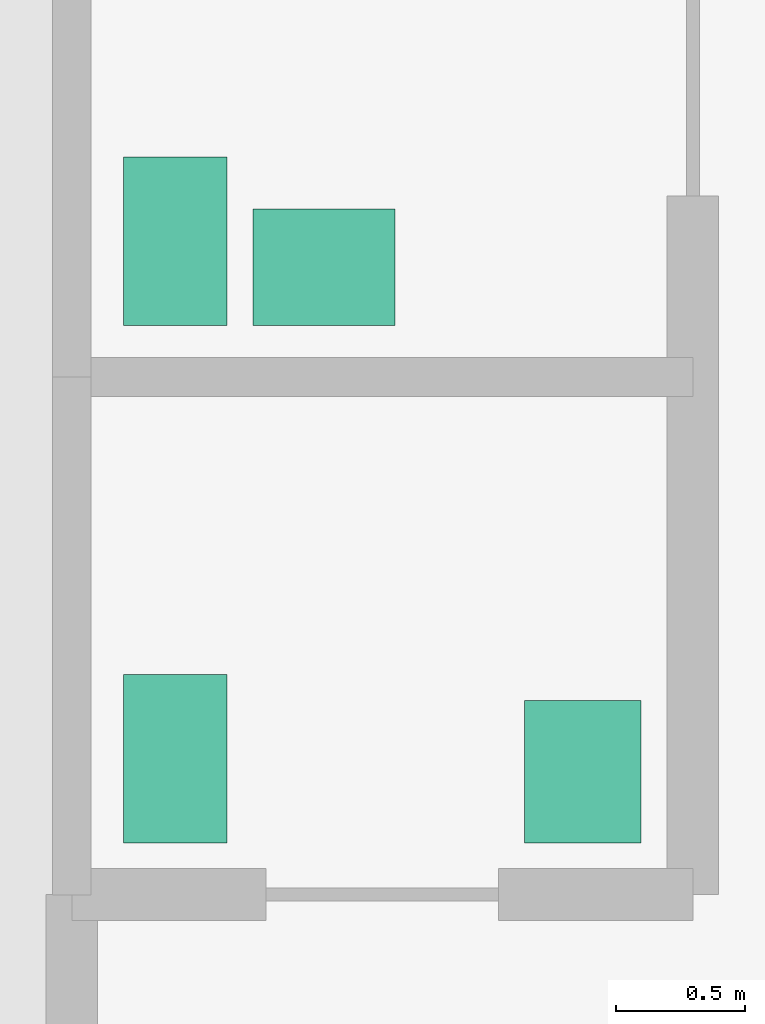
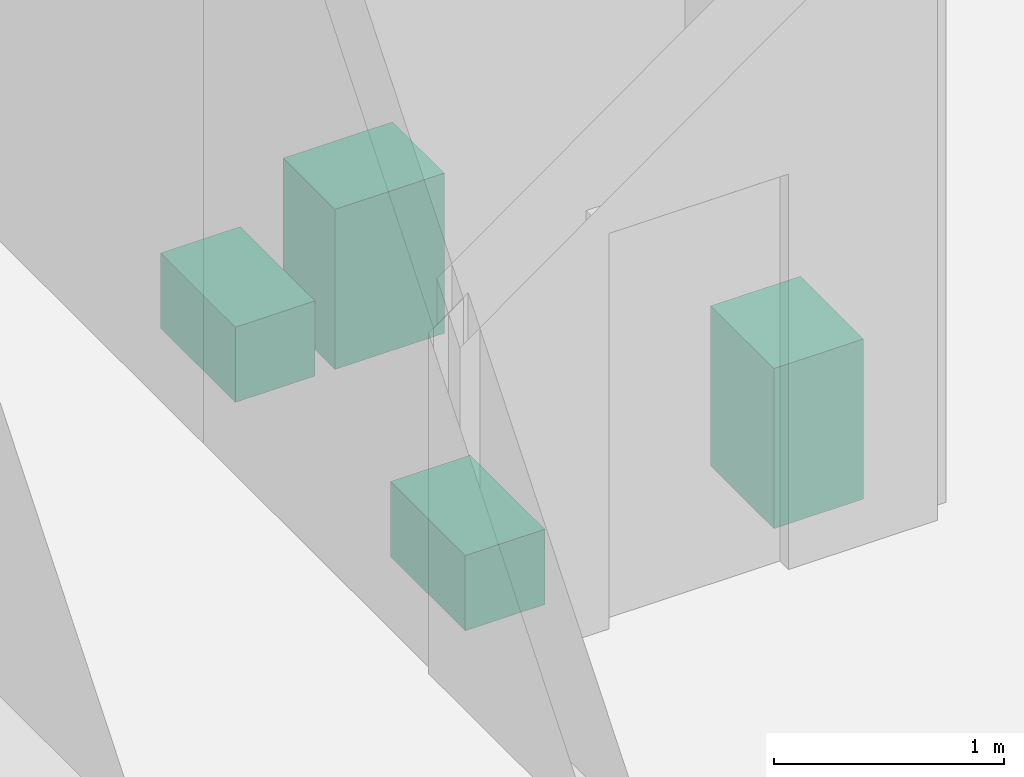
# One storey, part 8 of 8: 4 sanitary terminals.
"""IFC4 building model written with IfcOpenShell, lengths in metres."""

from ifc_helpers import new_model, si_unit, direction, frame, origin, origin_2d, place, context, subcontext, project, spatial, rectangle, extrude, material, type_object, element, save


model = new_model("IFC4")

# Units and contexts
model_context = context("Model", 3, precision=1e-05, world=origin(), true_north=direction((0.0, 1.0)))
body_context = subcontext(model_context, "Body", "Model", "MODEL_VIEW")
ifc_project = project(units=[si_unit("LENGTHUNIT", "METRE"), si_unit("AREAUNIT", "SQUARE_METRE"), si_unit("VOLUMEUNIT", "CUBIC_METRE"), si_unit("PLANEANGLEUNIT", "RADIAN"), si_unit("MASSUNIT", "GRAM", prefix="KILO")], contexts=[model_context])

# Site, building, storey
site_placement = place(None, origin())
site = spatial("IfcSite", under=ifc_project, at=site_placement, CompositionType="ELEMENT")
building_placement = place(site_placement, origin())
building = spatial("IfcBuilding", under=site, at=building_placement, Name="Mashrafa Tower", CompositionType="ELEMENT")
storey_placement = place(building_placement, frame((0.0, 0.0, 261.800048828125)))
storey = spatial("IfcBuildingStorey", under=building, at=storey_placement, Name="L63", CompositionType="ELEMENT", Elevation=261.800048828125)

# Sanitary terminals
ifc_material_1 = material(Name="Vitreous china")
sanitary_terminal_type_1 = type_object("IfcSanitaryTerminalType", Name="Toilet pan 400 x 650", PredefinedType="TOILETPAN", material=ifc_material_1)
for number, where, z_axis, x_axis, name in (
    (1, (13.449951171875, 3.125, 0.0), (0.0, 0.0, 1.0), (1.0, 0.0, 0.0), "Toilet pan Refuge WC L63"),
    (2, (13.449951171875, 5.125, 0.0), (0.0, 0.0, 1.0), (1.0, 0.0, 0.0), "Toilet pan Refuge Accessible WC L63"),
):
    element("IfcSanitaryTerminal", number, at=place(storey_placement, frame(where, z_axis=z_axis, x_axis=x_axis)), inside=storey, type_object=sanitary_terminal_type_1, Name=name, PredefinedType="TOILETPAN", context=body_context, shape_type="SweptSolid", body=[
        extrude(rectangle(XDim=0.39990234375, YDim=0.64990234375, at=origin_2d()), origin(), (0.0, 0.0, 1.0), 0.39990234375),
    ])
ifc_material_2 = material(Name="Vitreous china")
sanitary_terminal_type_2 = type_object("IfcSanitaryTerminalType", Name="Wash basin 550 x 450", PredefinedType="WASHHANDBASIN", material=ifc_material_2)
for number, where, z_axis, x_axis, name in (
    (3, (15.02490234375, 3.074951171875, 0.0), (0.0, 0.0, 1.0), (0.0, 1.0, 0.0), "Wash basin Refuge WC L63"),
    (4, (14.02490234375, 5.02490234375, 0.0), (0.0, 0.0, 1.0), (1.0, 0.0, 0.0), "Wash basin Refuge Accessible WC L63"),
):
    element("IfcSanitaryTerminal", number, at=place(storey_placement, frame(where, z_axis=z_axis, x_axis=x_axis)), inside=storey, type_object=sanitary_terminal_type_2, Name=name, PredefinedType="WASHHANDBASIN", context=body_context, shape_type="SweptSolid", body=[
        extrude(rectangle(XDim=0.550048828125, YDim=0.449951171875, at=origin_2d()), origin(), (0.0, 0.0, 1.0), 0.85009765625),
    ])

save(model, "model.ifc")
